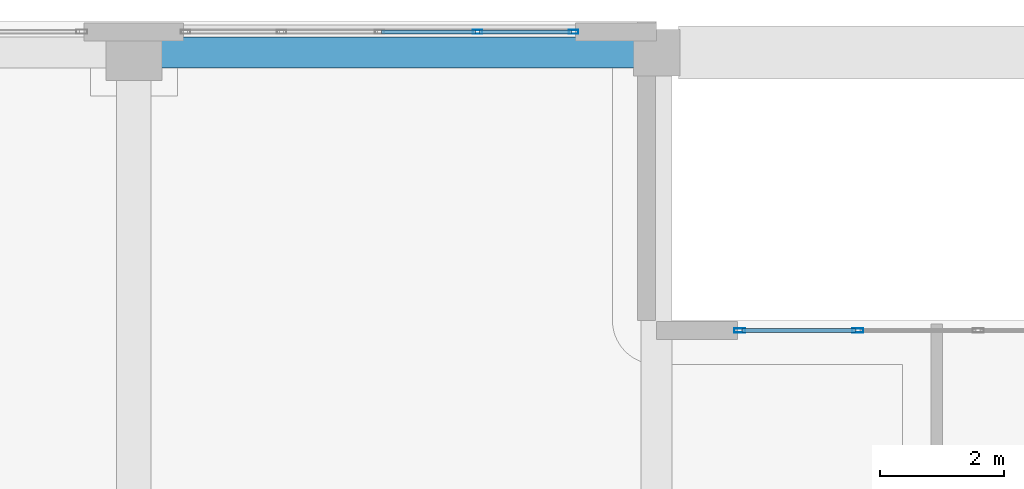
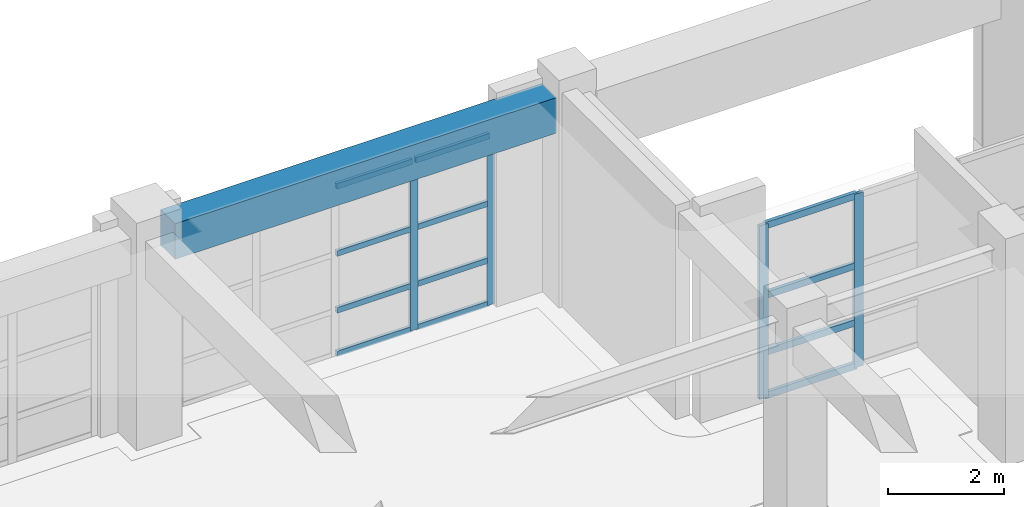
# One storey, part 66 of 123: 16 members, 1 beam, 2 elements without a shape of their own.
"""IFC4 building model written with IfcOpenShell, lengths in metres."""

from ifc_helpers import new_model, si_unit, direction, frame, origin, origin_2d, place, context, subcontext, project, spatial, rectangle, hollow_rectangle, extrude, material, layer, layer_set, material_profile, profile_set, type_object, element, aggregate, save


model = new_model("IFC4")

# Units and contexts
model_context = context("Model", 3, precision=1e-05, world=origin(), true_north=direction((0.0, 1.0)))
body_context = subcontext(model_context, "Body", "Model", "MODEL_VIEW")
ifc_project = project(units=[si_unit("LENGTHUNIT", "METRE"), si_unit("AREAUNIT", "SQUARE_METRE"), si_unit("VOLUMEUNIT", "CUBIC_METRE"), si_unit("PLANEANGLEUNIT", "RADIAN"), si_unit("MASSUNIT", "GRAM", prefix="KILO")], contexts=[model_context])

# Site, building, storey
site_placement = place(None, origin())
site = spatial("IfcSite", under=ifc_project, at=site_placement, CompositionType="ELEMENT")
building_placement = place(site_placement, origin())
building = spatial("IfcBuilding", under=site, at=building_placement, Name="Quendrovan Civic Courthouse", CompositionType="ELEMENT")
storey_placement = place(building_placement, frame((0.0, 0.0, 5.39990234375)))
storey = spatial("IfcBuildingStorey", under=building, at=storey_placement, Name="L02", CompositionType="ELEMENT", Elevation=5.39990234375)

# Beam
ifc_material_1 = material(Name="Concrete C40/50", Category="concrete")
ifc_material_profile_1 = material_profile(ifc_material_1, rectangle(XDim=0.5, YDim=0.75, at=origin_2d()), Name="RC-BM-500x750")
ifc_profile_set_1 = profile_set([ifc_material_profile_1], Name="Concrete C40/50")
beam_type = type_object("IfcBeamType", Name="BM-RC750", PredefinedType="SPANDREL", material=ifc_profile_set_1)
beam_placement = place(storey_placement, frame((84.429931640625, 109.89990234375, 3.985107421875), z_axis=(1.0, 0.0, 0.0), x_axis=(0.0, 1.0, 0.0)))
element("IfcBeam", 1, at=beam_placement, inside=storey, type_object=beam_type, Name="L02 Girder X0597", PredefinedType="SPANDREL", context=body_context, shape_type="SweptSolid", body=[
    extrude(rectangle(XDim=0.5, YDim=0.75, at=origin_2d()), origin(), (0.0, 0.0, 1.0), 7.614990234375),
])

# Curtain wall, members
ifc_material_2 = material(Name="Bronze anodised aluminium and low-E glass", Category="aluminium")
ifc_layer_1 = layer(ifc_material_2, 0.179931640625, Name="Bronze anodised aluminium and low-E glass")
ifc_layer_set_1 = layer_set([ifc_layer_1], Name="Bronze anodised aluminium and low-E glass")
curtain_wall_type_1 = type_object("IfcCurtainWallType", Name="CW-U58x37", PredefinedType="USERDEFINED", material=ifc_layer_set_1)
curtain_wall_1_placement = place(storey_placement, origin())
curtain_wall_1 = element("IfcCurtainWall", 2, at=curtain_wall_1_placement, inside=storey, type_object=curtain_wall_type_1, Name="L02 Unitised Hurricane Curtain Wall CW-088", ObjectType="UNITISED CURTAIN WALL", PredefinedType="USERDEFINED")
ifc_material_3 = material(Name="Bronze anodised aluminium", Category="aluminium")
ifc_material_profile_2 = material_profile(ifc_material_3, hollow_rectangle(XDim=0.070068359375, YDim=0.179931640625, WallThickness=0.00390625, at=origin_2d()), Name="CW-MULL-70x180")
ifc_profile_set_2 = profile_set([ifc_material_profile_2], Name="Bronze anodised aluminium")
member_type_1 = type_object("IfcMemberType", Name="CW-MULL-A", PredefinedType="MULLION", material=ifc_profile_set_2)
member_1_placement = place(storey_placement, frame((93.735107421875, 105.43505859375, 0.0), z_axis=(0.0, 0.0, 1.0), x_axis=(0.0, 1.0, 0.0)))
member_1 = element("IfcMember", 3, at=member_1_placement, type_object=member_type_1, Name="CW-088 mullion 1", PredefinedType="MULLION", context=body_context, shape_type="SweptSolid", body=[
    extrude(hollow_rectangle(XDim=0.070068359375, YDim=0.179931640625, WallThickness=0.00390625, at=origin_2d()), origin(), (0.0, 0.0, 1.0), 3.66015625),
])
member_2_placement = place(storey_placement, frame((95.63330078125, 105.43505859375, 0.0), z_axis=(0.0, 0.0, 1.0), x_axis=(0.0, 1.0, 0.0)))
member_2 = element("IfcMember", 4, at=member_2_placement, type_object=member_type_1, Name="CW-088 mullion 2", PredefinedType="MULLION", context=body_context, shape_type="SweptSolid", body=[
    extrude(hollow_rectangle(XDim=0.070068359375, YDim=0.179931640625, WallThickness=0.00390625, at=origin_2d()), origin(), (0.0, 0.0, 1.0), 3.66015625),
])

ifc_layer_2 = layer(ifc_material_2, 0.179931640625, Name="Bronze anodised aluminium and low-E glass")
ifc_layer_set_2 = layer_set([ifc_layer_2], Name="Bronze anodised aluminium and low-E glass")
curtain_wall_type_2 = type_object("IfcCurtainWallType", Name="CW-U63x36", PredefinedType="USERDEFINED", material=ifc_layer_set_2)
curtain_wall_2_placement = place(storey_placement, origin())
curtain_wall_2 = element("IfcCurtainWall", 5, at=curtain_wall_2_placement, inside=storey, type_object=curtain_wall_type_2, Name="L02 Unitised Hurricane Curtain Wall CW-087", ObjectType="UNITISED CURTAIN WALL", PredefinedType="USERDEFINED")
ifc_material_profile_3 = material_profile(ifc_material_3, hollow_rectangle(XDim=0.06494140625, YDim=0.14990234375, WallThickness=0.00390625, at=origin_2d()), Name="CW-MULL-65x150")
ifc_profile_set_3 = profile_set([ifc_material_profile_3], Name="Bronze anodised aluminium")
member_type_2 = type_object("IfcMemberType", Name="CW-MULL-B", PredefinedType="MULLION", material=ifc_profile_set_3)
member_3_placement = place(storey_placement, frame((89.52490234375, 110.235107421875, 0.0), z_axis=(0.0, 0.0, 1.0), x_axis=(0.0, 1.0, 0.0)))
member_3 = element("IfcMember", 6, at=member_3_placement, type_object=member_type_2, Name="CW-087 mullion 4", PredefinedType="MULLION", context=body_context, shape_type="SweptSolid", body=[
    extrude(hollow_rectangle(XDim=0.06494140625, YDim=0.14990234375, WallThickness=0.00390625, at=origin_2d()), origin(), (0.0, 0.0, 1.0), 3.60009765625),
])
member_4_placement = place(storey_placement, frame((91.0673828125, 110.235107421875, 0.0), z_axis=(0.0, 0.0, 1.0), x_axis=(0.0, 1.0, 0.0)))
member_4 = element("IfcMember", 7, at=member_4_placement, type_object=member_type_2, Name="CW-087 mullion 5", PredefinedType="MULLION", context=body_context, shape_type="SweptSolid", body=[
    extrude(hollow_rectangle(XDim=0.06494140625, YDim=0.14990234375, WallThickness=0.00390625, at=origin_2d()), origin(), (0.0, 0.0, 1.0), 3.60009765625),
])

# Member
ifc_material_profile_4 = material_profile(ifc_material_3, hollow_rectangle(XDim=0.070068359375, YDim=0.139892578125, WallThickness=0.00390625, at=origin_2d()), Name="CW-TRAN-70x140")
ifc_profile_set_4 = profile_set([ifc_material_profile_4], Name="Bronze anodised aluminium")
member_type_3 = type_object("IfcMemberType", Name="CW-TRAN-A", PredefinedType="USERDEFINED", material=ifc_profile_set_4)
member_5_placement = place(storey_placement, frame((93.77001953125, 105.43505859375, 0.03515625), z_axis=(1.0, 0.0, 0.0), x_axis=(0.0, 1.0, 0.0)))
member_5 = element("IfcMember", 8, at=member_5_placement, type_object=member_type_3, Name="CW-088 transom 1.1", ObjectType="TRANSOM", PredefinedType="USERDEFINED", context=body_context, shape_type="SweptSolid", body=[
    extrude(hollow_rectangle(XDim=0.070068359375, YDim=0.139892578125, WallThickness=0.00390625, at=origin_2d()), origin(), (0.0, 0.0, 1.0), 1.828369140625),
])

member_6_placement = place(storey_placement, frame((93.77001953125, 105.43505859375, 0.9501953125), z_axis=(1.0, 0.0, 0.0), x_axis=(0.0, 1.0, 0.0)))
member_6 = element("IfcMember", 9, at=member_6_placement, type_object=member_type_3, Name="CW-088 transom 1.2", ObjectType="TRANSOM", PredefinedType="USERDEFINED", context=body_context, shape_type="SweptSolid", body=[
    extrude(hollow_rectangle(XDim=0.070068359375, YDim=0.139892578125, WallThickness=0.00390625, at=origin_2d()), origin(), (0.0, 0.0, 1.0), 1.828369140625),
])

member_7_placement = place(storey_placement, frame((93.77001953125, 105.43505859375, 2.150146484375), z_axis=(1.0, 0.0, 0.0), x_axis=(0.0, 1.0, 0.0)))
member_7 = element("IfcMember", 10, at=member_7_placement, type_object=member_type_3, Name="CW-088 transom 1.3", ObjectType="TRANSOM", PredefinedType="USERDEFINED", context=body_context, shape_type="SweptSolid", body=[
    extrude(hollow_rectangle(XDim=0.070068359375, YDim=0.139892578125, WallThickness=0.00390625, at=origin_2d()), origin(), (0.0, 0.0, 1.0), 1.828369140625),
])

member_8_placement = place(storey_placement, frame((93.77001953125, 105.43505859375, 3.625), z_axis=(1.0, 0.0, 0.0), x_axis=(0.0, 1.0, 0.0)))
member_8 = element("IfcMember", 11, at=member_8_placement, type_object=member_type_3, Name="CW-088 transom 1.4", ObjectType="TRANSOM", PredefinedType="USERDEFINED", context=body_context, shape_type="SweptSolid", body=[
    extrude(hollow_rectangle(XDim=0.070068359375, YDim=0.139892578125, WallThickness=0.00390625, at=origin_2d()), origin(), (0.0, 0.0, 1.0), 1.828369140625),
])

aggregate(curtain_wall_1, [member_1, member_2, member_5, member_6, member_7, member_8])

ifc_material_profile_5 = material_profile(ifc_material_3, hollow_rectangle(XDim=0.06494140625, YDim=0.114990234375, WallThickness=0.00390625, at=origin_2d()), Name="CW-TRAN-65x115")
ifc_profile_set_5 = profile_set([ifc_material_profile_5], Name="Bronze anodised aluminium")
member_type_4 = type_object("IfcMemberType", Name="CW-TRAN-B", PredefinedType="USERDEFINED", material=ifc_profile_set_5)
member_9_placement = place(storey_placement, frame((87.982421875, 110.235107421875, 0.03271484375), z_axis=(1.0, 0.0, 0.0), x_axis=(0.0, 1.0, 0.0)))
member_9 = element("IfcMember", 12, at=member_9_placement, type_object=member_type_4, Name="CW-087 transom 3.1", ObjectType="TRANSOM", PredefinedType="USERDEFINED", context=body_context, shape_type="SweptSolid", body=[
    extrude(hollow_rectangle(XDim=0.06494140625, YDim=0.114990234375, WallThickness=0.00390625, at=origin_2d()), origin(), (0.0, 0.0, 1.0), 1.510009765625),
])

member_10_placement = place(storey_placement, frame((87.982421875, 110.235107421875, 0.9501953125), z_axis=(1.0, 0.0, 0.0), x_axis=(0.0, 1.0, 0.0)))
member_10 = element("IfcMember", 13, at=member_10_placement, type_object=member_type_4, Name="CW-087 transom 3.2", ObjectType="TRANSOM", PredefinedType="USERDEFINED", context=body_context, shape_type="SweptSolid", body=[
    extrude(hollow_rectangle(XDim=0.06494140625, YDim=0.114990234375, WallThickness=0.00390625, at=origin_2d()), origin(), (0.0, 0.0, 1.0), 1.510009765625),
])

member_11_placement = place(storey_placement, frame((87.982421875, 110.235107421875, 2.150146484375), z_axis=(1.0, 0.0, 0.0), x_axis=(0.0, 1.0, 0.0)))
member_11 = element("IfcMember", 14, at=member_11_placement, type_object=member_type_4, Name="CW-087 transom 3.3", ObjectType="TRANSOM", PredefinedType="USERDEFINED", context=body_context, shape_type="SweptSolid", body=[
    extrude(hollow_rectangle(XDim=0.06494140625, YDim=0.114990234375, WallThickness=0.00390625, at=origin_2d()), origin(), (0.0, 0.0, 1.0), 1.510009765625),
])

member_12_placement = place(storey_placement, frame((87.982421875, 110.235107421875, 3.567626953125), z_axis=(1.0, 0.0, 0.0), x_axis=(0.0, 1.0, 0.0)))
member_12 = element("IfcMember", 15, at=member_12_placement, type_object=member_type_4, Name="CW-087 transom 3.4", ObjectType="TRANSOM", PredefinedType="USERDEFINED", context=body_context, shape_type="SweptSolid", body=[
    extrude(hollow_rectangle(XDim=0.06494140625, YDim=0.114990234375, WallThickness=0.00390625, at=origin_2d()), origin(), (0.0, 0.0, 1.0), 1.510009765625),
])

member_13_placement = place(storey_placement, frame((89.5576171875, 110.235107421875, 0.03271484375), z_axis=(1.0, 0.0, 0.0), x_axis=(0.0, 1.0, 0.0)))
member_13 = element("IfcMember", 16, at=member_13_placement, type_object=member_type_4, Name="CW-087 transom 4.1", ObjectType="TRANSOM", PredefinedType="USERDEFINED", context=body_context, shape_type="SweptSolid", body=[
    extrude(hollow_rectangle(XDim=0.06494140625, YDim=0.114990234375, WallThickness=0.00390625, at=origin_2d()), origin(), (0.0, 0.0, 1.0), 1.477294921875),
])

member_14_placement = place(storey_placement, frame((89.5576171875, 110.235107421875, 0.9501953125), z_axis=(1.0, 0.0, 0.0), x_axis=(0.0, 1.0, 0.0)))
member_14 = element("IfcMember", 17, at=member_14_placement, type_object=member_type_4, Name="CW-087 transom 4.2", ObjectType="TRANSOM", PredefinedType="USERDEFINED", context=body_context, shape_type="SweptSolid", body=[
    extrude(hollow_rectangle(XDim=0.06494140625, YDim=0.114990234375, WallThickness=0.00390625, at=origin_2d()), origin(), (0.0, 0.0, 1.0), 1.477294921875),
])

member_15_placement = place(storey_placement, frame((89.5576171875, 110.235107421875, 2.150146484375), z_axis=(1.0, 0.0, 0.0), x_axis=(0.0, 1.0, 0.0)))
member_15 = element("IfcMember", 18, at=member_15_placement, type_object=member_type_4, Name="CW-087 transom 4.3", ObjectType="TRANSOM", PredefinedType="USERDEFINED", context=body_context, shape_type="SweptSolid", body=[
    extrude(hollow_rectangle(XDim=0.06494140625, YDim=0.114990234375, WallThickness=0.00390625, at=origin_2d()), origin(), (0.0, 0.0, 1.0), 1.477294921875),
])

member_16_placement = place(storey_placement, frame((89.5576171875, 110.235107421875, 3.567626953125), z_axis=(1.0, 0.0, 0.0), x_axis=(0.0, 1.0, 0.0)))
member_16 = element("IfcMember", 19, at=member_16_placement, type_object=member_type_4, Name="CW-087 transom 4.4", ObjectType="TRANSOM", PredefinedType="USERDEFINED", context=body_context, shape_type="SweptSolid", body=[
    extrude(hollow_rectangle(XDim=0.06494140625, YDim=0.114990234375, WallThickness=0.00390625, at=origin_2d()), origin(), (0.0, 0.0, 1.0), 1.477294921875),
])

aggregate(curtain_wall_2, [member_3, member_4, member_9, member_10, member_11, member_12, member_13, member_14, member_15, member_16])

save(model, "model.ifc")
